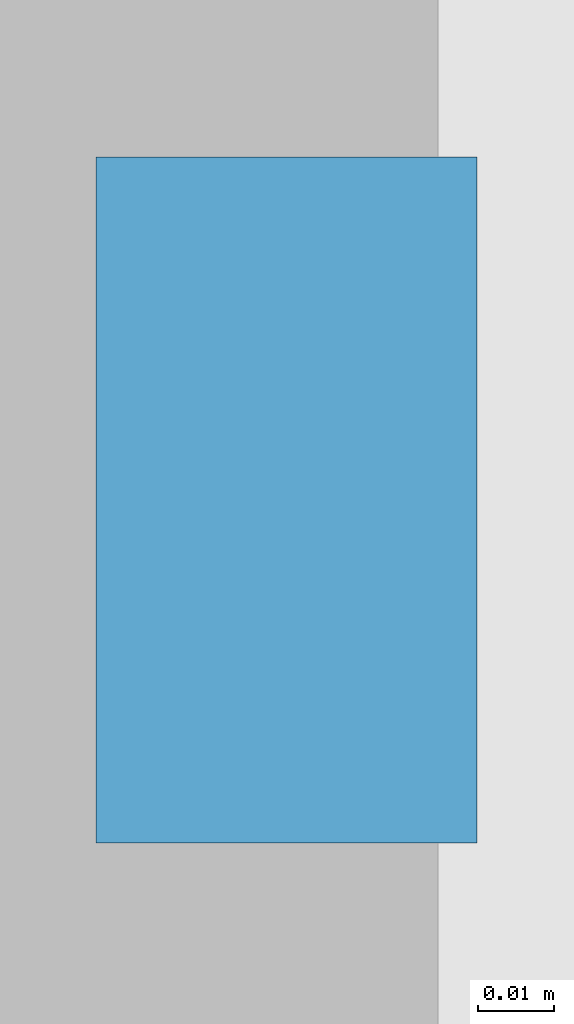
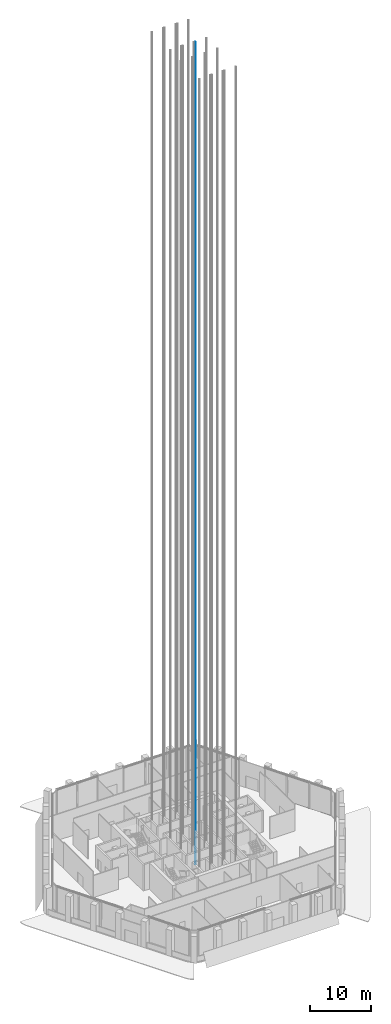
# One storey, part 31 of 42: 1 discrete accessory.
"""IFC4 building model written with IfcOpenShell, lengths in metres."""

import ifcopenshell
import ifcopenshell.guid

model = None  # the IFC model being written
_history = None  # IfcOwnerHistory: only IFC2X3 demands one
_inside = {}  # id of a spatial element -> (the spatial element, [elements in it])
_under = {}  # id of a project, library or spatial element -> (it, [spatial elements below it])
_declared = {}  # id of a project -> (the project, [libraries it declares])
_typed = {}  # id of a type object -> (the type object, [elements of that type])
_made_of = {}  # id of a material, layer set ... -> (it, [elements and type objects made of it])


def new_model(schema):
    """Start an empty IFC model of exactly this schema.

    Asked for "IFC4X3", IfcOpenShell would pick the latest addendum, in which some entities
    have other attributes; the version numbers below select the first issue.
    IFC2X3 requires an IfcOwnerHistory on every rooted entity: one is made here for all.
    """
    global model, _history
    if schema == "IFC4X3":
        model = ifcopenshell.file(schema_version=(4, 3, 0, 0))
    else:
        model = ifcopenshell.file(schema=schema)
    _inside.clear()
    _under.clear()
    _declared.clear()
    _typed.clear()
    _made_of.clear()
    _history = None
    if model.schema == "IFC2X3":
        org = make("IfcOrganization", Name="unknown")
        user = make(
            "IfcPersonAndOrganization",
            ThePerson=make("IfcPerson", FamilyName="unknown"),
            TheOrganization=org,
        )
        app = make(
            "IfcApplication",
            ApplicationDeveloper=org,
            Version="unknown",
            ApplicationFullName="unknown",
            ApplicationIdentifier="unknown",
        )
        _history = make(
            "IfcOwnerHistory",
            OwningUser=user,
            OwningApplication=app,
            ChangeAction="ADDED",
            CreationDate=0,
        )
    return model


def make(cls, **values):
    """One entity of the class cls with the attributes given. An attribute that is None is left unset."""
    return model.create_entity(
        cls, **{name: value for name, value in values.items() if value is not None}
    )


def rooted(cls, **values):
    """An entity with a GlobalId (a new one), such as an element, a storey or a relation."""
    return make(cls, GlobalId=ifcopenshell.guid.new(), OwnerHistory=_history, **values)


def si_unit(unit_type, name, prefix=None):
    """IfcSIUnit, for example si_unit("LENGTHUNIT", "METRE", prefix="MILLI")."""
    return make("IfcSIUnit", UnitType=unit_type, Prefix=prefix, Name=name)


def assignment(units):
    """IfcUnitAssignment: the units of a project."""
    return None if units is None else make("IfcUnitAssignment", Units=units)


def point(xyz):
    """IfcCartesianPoint."""
    return None if xyz is None else make("IfcCartesianPoint", Coordinates=xyz)


def direction(xyz):
    """IfcDirection."""
    return None if xyz is None else make("IfcDirection", DirectionRatios=xyz)


def frame(location, z_axis=None, x_axis=None):
    """IfcAxis2Placement3D, a coordinate frame: its origin and axes. An axis left out is left unset."""
    return make(
        "IfcAxis2Placement3D",
        Location=point(location),
        Axis=direction(z_axis),
        RefDirection=direction(x_axis),
    )


def frame_2d(location, x_axis=None):
    """IfcAxis2Placement2D, a coordinate frame in the plane: its origin and x axis."""
    return make(
        "IfcAxis2Placement2D", Location=point(location), RefDirection=direction(x_axis)
    )


def origin():
    """The frame at (0, 0, 0) with its axes left unset."""
    return frame((0.0, 0.0, 0.0))


def origin_2d():
    """The frame at (0, 0) in the plane with its x axis left unset."""
    return frame_2d((0.0, 0.0))


def place(relative_to, where):
    """IfcLocalPlacement: puts the frame where relative to a parent placement (None: the world)."""
    return make(
        "IfcLocalPlacement", PlacementRelTo=relative_to, RelativePlacement=where
    )


def context(
    kind, dimensions, precision=None, world=None, true_north=None, identifier=None
):
    """IfcGeometricRepresentationContext, for example the 3D "Model" context."""
    return make(
        "IfcGeometricRepresentationContext",
        ContextIdentifier=identifier,
        ContextType=kind,
        CoordinateSpaceDimension=dimensions,
        Precision=precision,
        WorldCoordinateSystem=world,
        TrueNorth=true_north,
    )


def subcontext(parent, identifier, kind, view, scale=None):
    """IfcGeometricRepresentationSubContext, for example "Body" below "Model"."""
    return make(
        "IfcGeometricRepresentationSubContext",
        ContextIdentifier=identifier,
        ContextType=kind,
        ParentContext=parent,
        TargetScale=scale,
        TargetView=view,
    )


def project(units=None, contexts=None):
    """IfcProject with its units and contexts."""
    return rooted(
        "IfcProject",
        Name="project",
        RepresentationContexts=contexts,
        UnitsInContext=assignment(units),
    )


def spatial(cls, under=None, at=None, **own):
    """A site, building, storey or space (cls), placed at a placement, below another one or the project."""
    s = rooted(cls, ObjectPlacement=at, **own)
    if under is not None:
        _under.setdefault(under.id(), (under, []))[1].append(s)
    return s


def profile(cls, at=None, kind="AREA", **sizes):
    """A parametric profile (cls). Its sizes go by their IFC names, for example OverallWidth=200.0."""
    return make(cls, ProfileType=kind, Position=at, **sizes)


def rectangle(**sizes):
    """IfcRectangleProfileDef."""
    return profile("IfcRectangleProfileDef", **sizes)


def extrude(swept, where, along, depth):
    """IfcExtrudedAreaSolid: the profile swept, set in the frame where, extruded along a direction by depth."""
    return make(
        "IfcExtrudedAreaSolid",
        SweptArea=swept,
        Position=where,
        ExtrudedDirection=direction(along),
        Depth=depth,
    )


def shape(context_of_items, identifier, shape_type, items):
    """IfcShapeRepresentation: the items that make up one representation, for example the "Body"."""
    return make(
        "IfcShapeRepresentation",
        ContextOfItems=context_of_items,
        RepresentationIdentifier=identifier,
        RepresentationType=shape_type,
        Items=items,
    )


def made_of(thing, what):
    """Note that an element or type object is made of a material, layer set ...; save() writes the relation."""
    if what is not None:
        _made_of.setdefault(what.id(), (what, []))[1].append(thing)
    return thing


def element(
    cls,
    number,
    at=None,
    inside=None,
    cuts=None,
    type_object=None,
    material=None,
    context=None,
    identifier="Body",
    shape_type=None,
    held_by="IfcProductDefinitionShape",
    body=None,
    shapes=None,
    **own,
):
    """One element of the class cls, such as IfcWall. Its Tag is "e" and its number.

    at: its placement. inside: the storey or other place that contains it. cuts: it is an
    opening in that element (IfcRelVoidsElement). A single representation is given by context,
    identifier, shape_type and body (its items); several are given by shapes. held_by: the class
    of the entity that holds the representations. save() writes the other relations.
    """
    e = rooted(cls, Tag="e%d" % number, ObjectPlacement=at, **own)
    if body is not None:
        shapes = [shape(context, identifier, shape_type, body)]
    if shapes is not None:
        e.Representation = make(held_by, Representations=shapes)
    if inside is not None:
        _inside.setdefault(inside.id(), (inside, []))[1].append(e)
    if cuts is not None:
        rooted(
            "IfcRelVoidsElement", RelatingBuildingElement=cuts, RelatedOpeningElement=e
        )
    if type_object is not None:
        _typed.setdefault(type_object.id(), (type_object, []))[1].append(e)
    return made_of(e, material)


def aggregate(whole, parts):
    """IfcRelAggregates: a whole, such as a stair, and the parts it consists of."""
    return rooted("IfcRelAggregates", RelatingObject=whole, RelatedObjects=parts)


def save(model, path):
    """Write the relations noted so far, then the file.

    IfcRelAggregates (storeys below a building ...), IfcRelContainedInSpatialStructure (elements
    in a storey), IfcRelDefinesByType, IfcRelAssociatesMaterial and IfcRelDeclares: one each for
    every whole, place, type object, material and project.
    """
    for whole, parts in _under.values():
        aggregate(whole, parts)
    for where, things in _inside.values():
        rooted(
            "IfcRelContainedInSpatialStructure",
            RelatedElements=things,
            RelatingStructure=where,
        )
    for kind, things in _typed.values():
        rooted("IfcRelDefinesByType", RelatedObjects=things, RelatingType=kind)
    for what, things in _made_of.values():
        rooted("IfcRelAssociatesMaterial", RelatedObjects=things, RelatingMaterial=what)
    for by, libraries in _declared.values():
        rooted("IfcRelDeclares", RelatingContext=by, RelatedDefinitions=libraries)
    model.write(path)


model = new_model("IFC4")

# Units and contexts
model_context = context("Model", 3, precision=1e-05, world=origin(), true_north=direction((0.0, 1.0)))
body_context = subcontext(model_context, "Body", "Model", "MODEL_VIEW")
ifc_project = project(units=[si_unit("LENGTHUNIT", "METRE"), si_unit("AREAUNIT", "SQUARE_METRE"), si_unit("VOLUMEUNIT", "CUBIC_METRE"), si_unit("PLANEANGLEUNIT", "RADIAN"), si_unit("MASSUNIT", "GRAM", prefix="KILO")], contexts=[model_context])

# Site, building, storey
site_placement = place(None, origin())
site = spatial("IfcSite", under=ifc_project, at=site_placement, CompositionType="ELEMENT")
building_placement = place(site_placement, origin())
building = spatial("IfcBuilding", under=site, at=building_placement, Name="Kolab Exchange Tower", CompositionType="ELEMENT")
storey_placement = place(building_placement, frame((0.0, 0.0, 133.39990234375)))
storey = spatial("IfcBuildingStorey", under=building, at=storey_placement, Name="L26", CompositionType="ELEMENT", Elevation=133.39990234375)

# Discrete accessory
discrete_accessory_placement = place(storey_placement, frame((1.330078125, 1.800048828125, -1.599853515625), z_axis=(0.0, 0.0, 1.0), x_axis=(1.0, 0.0, 0.0)))
element("IfcDiscreteAccessory", 1, at=discrete_accessory_placement, inside=storey, Name="Guide rail HR6-1", ObjectType="GUIDE RAIL", PredefinedType="USERDEFINED", context=body_context, shape_type="SweptSolid", body=[
    extrude(rectangle(XDim=0.050048828125, YDim=0.090087890625, at=origin_2d()), origin(), (0.0, 0.0, 1.0), 165.60009765625),
])

save(model, "model.ifc")
